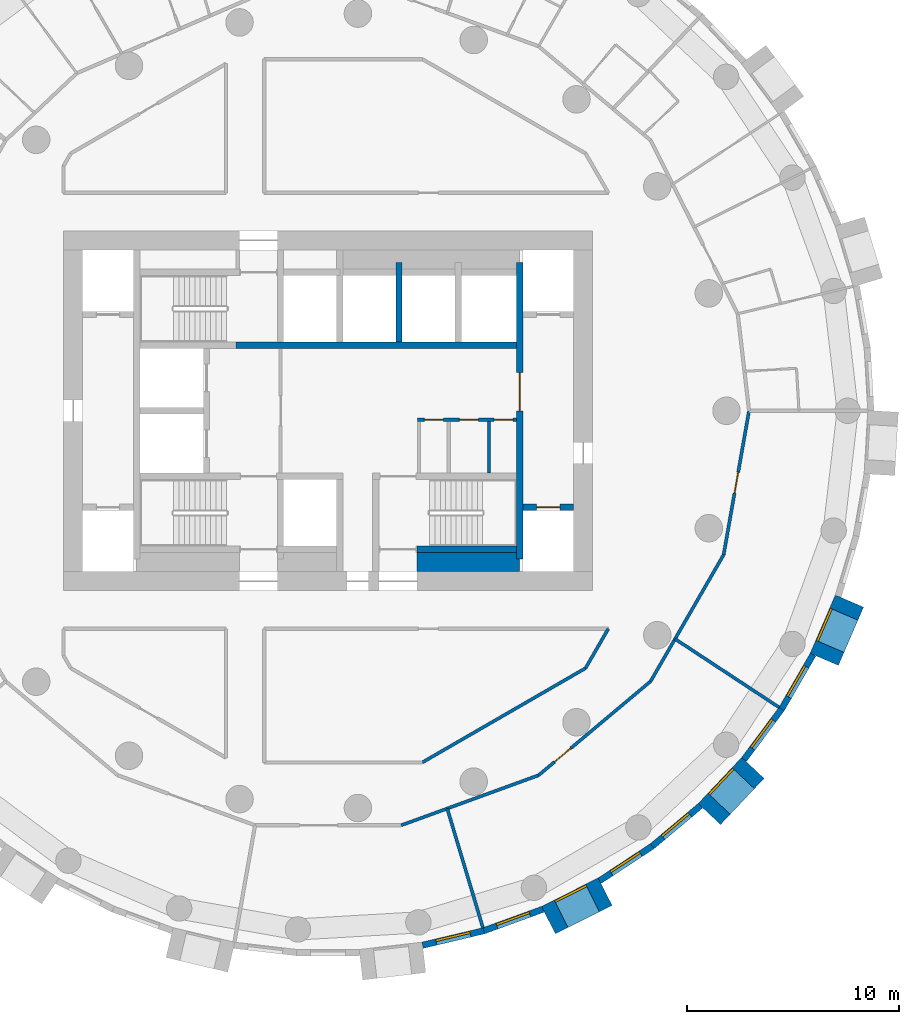
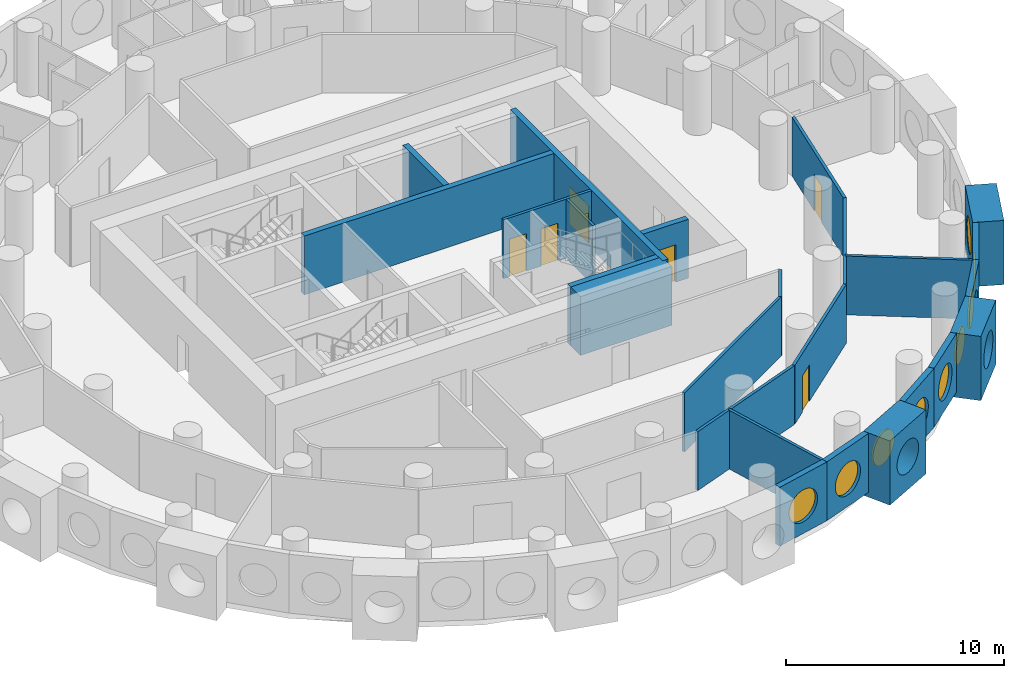
# One storey, part 4 of 10: 25 walls, 9 windows, 7 doors, 16 openings.
"""IFC4 building model written with IfcOpenShell, lengths in metres."""

from ifc_helpers import new_model, si_unit, direction, frame, frame_2d, origin, origin_2d, place, context, subcontext, project, spatial, rectangle, circle, extrude, material, layer, layer_set, type_object, element, fill, save


model = new_model("IFC4")

# Units and contexts
model_context = context("Model", 3, precision=1e-05, world=origin(), true_north=direction((0.0, 1.0)))
body_context = subcontext(model_context, "Body", "Model", "MODEL_VIEW")
ifc_project = project(units=[si_unit("LENGTHUNIT", "METRE"), si_unit("AREAUNIT", "SQUARE_METRE"), si_unit("VOLUMEUNIT", "CUBIC_METRE"), si_unit("PLANEANGLEUNIT", "RADIAN"), si_unit("MASSUNIT", "GRAM", prefix="KILO")], contexts=[model_context])

# Site, building, storey
site_placement = place(None, origin())
site = spatial("IfcSite", under=ifc_project, at=site_placement, CompositionType="ELEMENT")
building_placement = place(site_placement, origin())
building = spatial("IfcBuilding", under=site, at=building_placement, Name="Tracery Tower", CompositionType="ELEMENT")
storey_placement = place(building_placement, frame((0.0, 0.0, 129.60009765625)))
storey = spatial("IfcBuildingStorey", under=building, at=storey_placement, Name="L32", CompositionType="ELEMENT", Elevation=129.60009765625)

# Wall, openings, doors
ifc_material_1 = material(Name="Plasterboard on steel studs", Category="steel")
ifc_layer_1 = layer(ifc_material_1, 0.14990234375)
ifc_layer_set_1 = layer_set([ifc_layer_1], Name="Core room partition 150")
wall_type_1 = type_object("IfcWallType", Name="Core room partition 150", PredefinedType="SOLIDWALL", material=ifc_layer_set_1)
wall_1_placement = place(storey_placement, frame((4.22509765625, -0.425048828125, 0.0), z_axis=(0.0, 0.0, 1.0), x_axis=(1.0, 0.0, 0.0)))
wall_1 = element("IfcWall", 1, at=wall_1_placement, inside=storey, type_object=wall_type_1, Name="L32 slot N", PredefinedType="SOLIDWALL", context=body_context, shape_type="SweptSolid", body=[
    extrude(rectangle(XDim=4.6748046875, YDim=0.14990234375, at=frame_2d((2.33740234375, 0.0))), origin(), (0.0, 0.0, 1.0), 3.2998046875),
])
opening_1_placement = place(wall_1_placement, frame((0.324951171875, 0.0, 0.0)))
opening_1 = element("IfcOpeningElement", 2, at=opening_1_placement, cuts=wall_1, Name="Opening KD27", PredefinedType="OPENING", context=body_context, shape_type="SweptSolid", body=[
    extrude(rectangle(XDim=0.89990234375, YDim=2.10009765625, at=frame_2d((0.449951171875, 1.050048828125))), frame((0.0, 0.074951171875, 0.0), z_axis=(0.0, -1.0, 0.0), x_axis=(1.0, 0.0, 0.0)), (0.0, 0.0, 1.0), 0.14990234375),
])
opening_2_placement = place(wall_1_placement, frame((1.97509765625, 0.0, 0.0)))
opening_2 = element("IfcOpeningElement", 3, at=opening_2_placement, cuts=wall_1, Name="Opening KD21", PredefinedType="OPENING", context=body_context, shape_type="SweptSolid", body=[
    extrude(rectangle(XDim=0.89990234375, YDim=2.10009765625, at=frame_2d((0.449951171875, 1.050048828125))), frame((0.0, 0.074951171875, 0.0), z_axis=(0.0, -1.0, 0.0), x_axis=(1.0, 0.0, 0.0)), (0.0, 0.0, 1.0), 0.14990234375),
])
opening_3_placement = place(wall_1_placement, frame((3.612548828125, 0.0, 0.0)))
opening_3 = element("IfcOpeningElement", 4, at=opening_3_placement, cuts=wall_1, Name="Opening KD32", PredefinedType="OPENING", context=body_context, shape_type="SweptSolid", body=[
    extrude(rectangle(XDim=0.89990234375, YDim=2.10009765625, at=frame_2d((0.449951171875, 1.050048828125))), frame((0.0, 0.074951171875, 0.0), z_axis=(0.0, -1.0, 0.0), x_axis=(1.0, 0.0, 0.0)), (0.0, 0.0, 1.0), 0.14990234375),
])
ifc_material_2 = material(Name="Timber door leaf", Category="wood")
door_type_1 = type_object("IfcDoorType", Name="Core WC door 900", OperationType="NOTDEFINED", PredefinedType="DOOR", material=ifc_material_2)
door_1_placement = place(opening_2_placement, origin())
door_1 = element("IfcDoor", 5, at=door_1_placement, inside=storey, type_object=door_type_1, Name="Core door", OperationType="SINGLE_SWING_LEFT", OverallHeight=2.10009765625, OverallWidth=0.89990234375, PredefinedType="DOOR", context=body_context, shape_type="SweptSolid", body=[
    extrude(rectangle(XDim=0.89990234375, YDim=2.10009765625, at=frame_2d((0.449951171875, 1.050048828125))), frame((0.0, 0.02490234375, 0.0), z_axis=(0.0, -1.0, 0.0), x_axis=(1.0, 0.0, 0.0)), (0.0, 0.0, 1.0), 0.050048828125),
])
fill(opening_2, door_1)
ifc_material_3 = material(Name="Steel fire door", Category="steel")
door_type_2 = type_object("IfcDoorType", Name="Core riser door 900", OperationType="NOTDEFINED", PredefinedType="DOOR", material=ifc_material_3)
door_2_placement = place(opening_3_placement, origin())
door_2 = element("IfcDoor", 6, at=door_2_placement, inside=storey, type_object=door_type_2, Name="Core door", OperationType="SINGLE_SWING_RIGHT", OverallHeight=2.10009765625, OverallWidth=0.89990234375, PredefinedType="DOOR", context=body_context, shape_type="SweptSolid", body=[
    extrude(rectangle(XDim=0.89990234375, YDim=2.10009765625, at=frame_2d((0.449951171875, 1.050048828125))), frame((0.0, 0.02490234375, 0.0), z_axis=(0.0, -1.0, 0.0), x_axis=(1.0, 0.0, 0.0)), (0.0, 0.0, 1.0), 0.050048828125),
])
fill(opening_3, door_2)
ifc_material_4 = material(Name="Timber door leaf", Category="wood")
door_type_3 = type_object("IfcDoorType", Name="Core store door 900", OperationType="NOTDEFINED", PredefinedType="DOOR", material=ifc_material_4)
door_3_placement = place(opening_1_placement, origin())
door_3 = element("IfcDoor", 7, at=door_3_placement, inside=storey, type_object=door_type_3, Name="Core door", OperationType="SINGLE_SWING_RIGHT", OverallHeight=2.10009765625, OverallWidth=0.89990234375, PredefinedType="DOOR", context=body_context, shape_type="SweptSolid", body=[
    extrude(rectangle(XDim=0.89990234375, YDim=2.10009765625, at=frame_2d((0.449951171875, 1.050048828125))), frame((0.0, 0.02490234375, 0.0), z_axis=(0.0, -1.0, 0.0), x_axis=(1.0, 0.0, 0.0)), (0.0, 0.0, 1.0), 0.050048828125),
])
fill(opening_1, door_3)

# Walls
wall_2_placement = place(storey_placement, frame((7.60009765625, -2.949951171875, 0.0), z_axis=(0.0, 0.0, 1.0), x_axis=(0.0, 1.0, 0.0)))
element("IfcWall", 8, at=wall_2_placement, inside=storey, type_object=wall_type_1, Name="L32 slot sep 2", PredefinedType="SOLIDWALL", context=body_context, shape_type="SweptSolid", body=[
    extrude(rectangle(XDim=2.449951171875, YDim=0.14990234375, at=frame_2d((1.22509765625, 0.0))), origin(), (0.0, 0.0, 1.0), 3.2998046875),
])
ifc_material_5 = material(Name="Concrete C50/60", Category="concrete")
ifc_layer_2 = layer(ifc_material_5, 0.89990234375)
ifc_layer_set_2 = layer_set([ifc_layer_2], Name="Core strip wall 900 C50")
wall_type_2 = type_object("IfcWallType", Name="Core strip wall 900 C50", PredefinedType="SOLIDWALL", material=ifc_layer_set_2)
wall_3_placement = place(storey_placement, frame((4.199951171875, -7.14990234375, 0.0), z_axis=(0.0, 0.0, 1.0), x_axis=(1.0, 0.0, 0.0)))
element("IfcWall", 9, at=wall_3_placement, inside=storey, type_object=wall_type_2, Name="L32 F thick S E", PredefinedType="SOLIDWALL", context=body_context, shape_type="SweptSolid", body=[
    extrude(rectangle(XDim=4.85009765625, YDim=0.89990234375, at=frame_2d((2.425048828125, 0.0))), origin(), (0.0, 0.0, 1.0), 3.2998046875),
])

# Wall, opening, window
ifc_material_6 = material(Name="Precast concrete C50/60", Category="concrete")
ifc_layer_3 = layer(ifc_material_6, 1.449951171875)
ifc_layer_set_3 = layer_set([ifc_layer_3], Name="Deep-set bay unit 3000 x 3600, slab edge 300")
wall_type_3 = type_object("IfcWallType", Name="Deep-set bay unit 3000 x 3600, slab edge 300", PredefinedType="ELEMENTEDWALL", material=ifc_layer_set_3)
wall_4_placement = place(storey_placement, frame((10.40869140625, -24.067626953125, -0.300048828125), z_axis=(0.0, 0.0, 1.0), x_axis=(0.893628249713, 0.448807922518, 0.0)))
wall_4 = element("IfcWall", 10, at=wall_4_placement, inside=storey, type_object=wall_type_3, Name="Deep-set bay unit 45 at L32", PredefinedType="ELEMENTEDWALL", context=body_context, shape_type="SweptSolid", body=[
    extrude(rectangle(XDim=3.0, YDim=1.449951171875, at=frame_2d((1.5, 0.0))), origin(), (0.0, 0.0, 1.0), 3.599853515625),
])
opening_4_placement = place(wall_4_placement, frame((1.5, 0.0, 1.85009765625)))
opening_4 = element("IfcOpeningElement", 11, at=opening_4_placement, cuts=wall_4, Name="Opening WN1", PredefinedType="OPENING", context=body_context, shape_type="SweptSolid", body=[
    extrude(circle(Radius=0.9000244140625, at=origin_2d()), frame((0.0, 0.73486328125, 0.0), z_axis=(0.0, -1.0, 0.0), x_axis=(1.0, 0.0, 0.0)), (0.0, 0.0, 1.0), 1.469970703125),
])
ifc_material_7 = material(Name="Aluminium frame with tinted double glazing", Category="aluminium")
window_type = type_object("IfcWindowType", Name="Round window 1800", PartitioningType="SINGLE_PANEL", PredefinedType="WINDOW", material=ifc_material_7)
window_1_placement = place(opening_4_placement, origin())
window_1 = element("IfcWindow", 12, at=window_1_placement, inside=storey, type_object=window_type, Name="Round window 45 at L32", OverallHeight=1.800048828125, OverallWidth=1.800048828125, PartitioningType="SINGLE_PANEL", PredefinedType="WINDOW", context=body_context, shape_type="SweptSolid", body=[
    extrude(circle(Radius=0.9000244140625, at=origin_2d()), frame((0.0, 0.69482421875, 0.0), z_axis=(0.0, -1.0, 0.0), x_axis=(1.0, 0.0, 0.0)), (0.0, 0.0, 1.0), 0.10009765625),
])
fill(opening_4, window_1)

wall_5_placement = place(storey_placement, frame((18.0126953125, -19.05615234375, -0.300048828125), z_axis=(0.0, 0.0, 1.0), x_axis=(0.686217177108, 0.727396718334, 0.0)))
wall_5 = element("IfcWall", 13, at=wall_5_placement, inside=storey, type_object=wall_type_3, Name="Deep-set bay unit 48 at L32", PredefinedType="ELEMENTEDWALL", context=body_context, shape_type="SweptSolid", body=[
    extrude(rectangle(XDim=3.0, YDim=1.449951171875, at=frame_2d((1.5, 0.0))), origin(), (0.0, 0.0, 1.0), 3.599853515625),
])
opening_5_placement = place(wall_5_placement, frame((1.5, 0.0, 1.85009765625)))
opening_5 = element("IfcOpeningElement", 14, at=opening_5_placement, cuts=wall_5, Name="Opening WN1", PredefinedType="OPENING", context=body_context, shape_type="SweptSolid", body=[
    extrude(circle(Radius=0.9000244140625, at=origin_2d()), frame((0.0, 0.73486328125, 0.0), z_axis=(0.0, -1.0, 0.0), x_axis=(1.0, 0.0, 0.0)), (0.0, 0.0, 1.0), 1.469970703125),
])
window_2_placement = place(opening_5_placement, origin())
window_2 = element("IfcWindow", 15, at=window_2_placement, inside=storey, type_object=window_type, Name="Round window 48 at L32", OverallHeight=1.800048828125, OverallWidth=1.800048828125, PartitioningType="SINGLE_PANEL", PredefinedType="WINDOW", context=body_context, shape_type="SweptSolid", body=[
    extrude(circle(Radius=0.9000244140625, at=origin_2d()), frame((0.0, 0.69482421875, 0.0), z_axis=(0.0, -1.0, 0.0), x_axis=(1.0, 0.0, 0.0)), (0.0, 0.0, 1.0), 0.10009765625),
])
fill(opening_5, window_2)

wall_6_placement = place(storey_placement, frame((23.44384765625, -11.746337890625, -0.300048828125), z_axis=(0.0, 0.0, 1.0), x_axis=(0.396079003245, 0.918216435917, 0.0)))
wall_6 = element("IfcWall", 16, at=wall_6_placement, inside=storey, type_object=wall_type_3, Name="Deep-set bay unit 51 at L32", PredefinedType="ELEMENTEDWALL", context=body_context, shape_type="SweptSolid", body=[
    extrude(rectangle(XDim=3.0, YDim=1.449951171875, at=frame_2d((1.5, 0.0))), origin(), (0.0, 0.0, 1.0), 3.599853515625),
])
opening_6_placement = place(wall_6_placement, frame((1.5, 0.0, 1.85009765625)))
opening_6 = element("IfcOpeningElement", 17, at=opening_6_placement, cuts=wall_6, Name="Opening WN1", PredefinedType="OPENING", context=body_context, shape_type="SweptSolid", body=[
    extrude(circle(Radius=0.9000244140625, at=origin_2d()), frame((0.0, 0.73486328125, 0.0), z_axis=(0.0, -1.0, 0.0), x_axis=(1.0, 0.0, 0.0)), (0.0, 0.0, 1.0), 1.469970703125),
])
window_3_placement = place(opening_6_placement, origin())
window_3 = element("IfcWindow", 18, at=window_3_placement, inside=storey, type_object=window_type, Name="Round window 51 at L32", OverallHeight=1.800048828125, OverallWidth=1.800048828125, PartitioningType="SINGLE_PANEL", PredefinedType="WINDOW", context=body_context, shape_type="SweptSolid", body=[
    extrude(circle(Radius=0.9000244140625, at=origin_2d()), frame((0.0, 0.69482421875, 0.0), z_axis=(0.0, -1.0, 0.0), x_axis=(1.0, 0.0, 0.0)), (0.0, 0.0, 1.0), 0.10009765625),
])
fill(opening_6, window_3)

ifc_material_8 = material(Name="Precast concrete C50/60", Category="concrete")
ifc_layer_4 = layer(ifc_material_8, 0.300048828125)
ifc_layer_set_4 = layer_set([ifc_layer_4], Name="Facade panel 3000 x 3300")
wall_type_4 = type_object("IfcWallType", Name="Facade panel 3000 x 3300", PredefinedType="SOLIDWALL", material=ifc_layer_set_4)
wall_7_placement = place(storey_placement, frame((4.463134765625, -25.255615234375, 0.0), z_axis=(0.0, 0.0, 1.0), x_axis=(0.973045378923, 0.230613725862, 0.0)))
wall_7 = element("IfcWall", 19, at=wall_7_placement, inside=storey, type_object=wall_type_4, Name="Facade panel 43 at L32", PredefinedType="SOLIDWALL", context=body_context, shape_type="SweptSolid", body=[
    extrude(rectangle(XDim=2.97265625, YDim=0.300048828125, at=frame_2d((1.486328125, 0.0))), origin(), (0.0, 0.0, 1.0), 3.2998046875),
])
opening_7_placement = place(wall_7_placement, frame((1.486328125, 0.0, 1.5498046875)))
opening_7 = element("IfcOpeningElement", 20, at=opening_7_placement, cuts=wall_7, Name="Opening WN1", PredefinedType="OPENING", context=body_context, shape_type="SweptSolid", body=[
    extrude(circle(Radius=0.9000244140625, at=origin_2d()), frame((0.0, 0.159912109375, 0.0), z_axis=(0.0, -1.0, 0.0), x_axis=(1.0, 0.0, 0.0)), (0.0, 0.0, 1.0), 0.320068359375),
])
window_4_placement = place(opening_7_placement, origin())
window_4 = element("IfcWindow", 21, at=window_4_placement, inside=storey, type_object=window_type, Name="Round window 43 at L32", OverallHeight=1.800048828125, OverallWidth=1.800048828125, PartitioningType="SINGLE_PANEL", PredefinedType="WINDOW", context=body_context, shape_type="SweptSolid", body=[
    extrude(circle(Radius=0.9000244140625, at=origin_2d()), frame((0.0, 0.1201171875, 0.0), z_axis=(0.0, -1.0, 0.0), x_axis=(1.0, 0.0, 0.0)), (0.0, 0.0, 1.0), 0.10009765625),
])
fill(opening_7, window_4)

wall_8_placement = place(storey_placement, frame((7.355712890625, -24.570068359375, 0.0), z_axis=(0.0, 0.0, 1.0), x_axis=(0.939690282133, 0.342026568652, 0.0)))
wall_8 = element("IfcWall", 22, at=wall_8_placement, inside=storey, type_object=wall_type_4, Name="Facade panel 44 at L32", PredefinedType="SOLIDWALL", context=body_context, shape_type="SweptSolid", body=[
    extrude(rectangle(XDim=2.972900390625, YDim=0.300048828125, at=frame_2d((1.486328125, 0.0))), origin(), (0.0, 0.0, 1.0), 3.2998046875),
])
opening_8_placement = place(wall_8_placement, frame((1.486328125, 0.0, 1.5498046875)))
opening_8 = element("IfcOpeningElement", 23, at=opening_8_placement, cuts=wall_8, Name="Opening WN1", PredefinedType="OPENING", context=body_context, shape_type="SweptSolid", body=[
    extrude(circle(Radius=0.9000244140625, at=origin_2d()), frame((0.0, 0.159912109375, 0.0), z_axis=(0.0, -1.0, 0.0), x_axis=(1.0, 0.0, 0.0)), (0.0, 0.0, 1.0), 0.320068359375),
])
window_5_placement = place(opening_8_placement, origin())
window_5 = element("IfcWindow", 24, at=window_5_placement, inside=storey, type_object=window_type, Name="Round window 44 at L32", OverallHeight=1.800048828125, OverallWidth=1.800048828125, PartitioningType="SINGLE_PANEL", PredefinedType="WINDOW", context=body_context, shape_type="SweptSolid", body=[
    extrude(circle(Radius=0.9000244140625, at=origin_2d()), frame((0.0, 0.1201171875, 0.0), z_axis=(0.0, -1.0, 0.0), x_axis=(1.0, 0.0, 0.0)), (0.0, 0.0, 1.0), 0.10009765625),
])
fill(opening_8, window_5)

wall_9_placement = place(storey_placement, frame((12.831787109375, -22.2060546875, 0.0), z_axis=(0.0, 0.0, 1.0), x_axis=(0.835508361394, 0.54947773207, 0.0)))
wall_9 = element("IfcWall", 25, at=wall_9_placement, inside=storey, type_object=wall_type_4, Name="Facade panel 46 at L32", PredefinedType="SOLIDWALL", context=body_context, shape_type="SweptSolid", body=[
    extrude(rectangle(XDim=2.972900390625, YDim=0.300048828125, at=frame_2d((1.486328125, 0.0))), origin(), (0.0, 0.0, 1.0), 3.2998046875),
])
opening_9_placement = place(wall_9_placement, frame((1.486328125, 0.0, 1.5498046875)))
opening_9 = element("IfcOpeningElement", 26, at=opening_9_placement, cuts=wall_9, Name="Opening WN1", PredefinedType="OPENING", context=body_context, shape_type="SweptSolid", body=[
    extrude(circle(Radius=0.9000244140625, at=origin_2d()), frame((0.0, 0.159912109375, 0.0), z_axis=(0.0, -1.0, 0.0), x_axis=(1.0, 0.0, 0.0)), (0.0, 0.0, 1.0), 0.320068359375),
])
window_6_placement = place(opening_9_placement, origin())
window_6 = element("IfcWindow", 27, at=window_6_placement, inside=storey, type_object=window_type, Name="Round window 46 at L32", OverallHeight=1.800048828125, OverallWidth=1.800048828125, PartitioningType="SINGLE_PANEL", PredefinedType="WINDOW", context=body_context, shape_type="SweptSolid", body=[
    extrude(circle(Radius=0.9000244140625, at=origin_2d()), frame((0.0, 0.1201171875, 0.0), z_axis=(0.0, -1.0, 0.0), x_axis=(1.0, 0.0, 0.0)), (0.0, 0.0, 1.0), 0.10009765625),
])
fill(opening_9, window_6)

wall_10_placement = place(storey_placement, frame((15.315673828125, -20.572509765625, 0.0), z_axis=(0.0, 0.0, 1.0), x_axis=(0.766008913364, 0.642829950023, 0.0)))
wall_10 = element("IfcWall", 28, at=wall_10_placement, inside=storey, type_object=wall_type_4, Name="Facade panel 47 at L32", PredefinedType="SOLIDWALL", context=body_context, shape_type="SweptSolid", body=[
    extrude(rectangle(XDim=2.972900390625, YDim=0.300048828125, at=frame_2d((1.486328125, 0.0))), origin(), (0.0, 0.0, 1.0), 3.2998046875),
])
opening_10_placement = place(wall_10_placement, frame((1.486328125, 0.0, 1.5498046875)))
opening_10 = element("IfcOpeningElement", 29, at=opening_10_placement, cuts=wall_10, Name="Opening WN1", PredefinedType="OPENING", context=body_context, shape_type="SweptSolid", body=[
    extrude(circle(Radius=0.9000244140625, at=origin_2d()), frame((0.0, 0.159912109375, 0.0), z_axis=(0.0, -1.0, 0.0), x_axis=(1.0, 0.0, 0.0)), (0.0, 0.0, 1.0), 0.320068359375),
])
window_7_placement = place(opening_10_placement, origin())
window_7 = element("IfcWindow", 30, at=window_7_placement, inside=storey, type_object=window_type, Name="Round window 47 at L32", OverallHeight=1.800048828125, OverallWidth=1.800048828125, PartitioningType="SINGLE_PANEL", PredefinedType="WINDOW", context=body_context, shape_type="SweptSolid", body=[
    extrude(circle(Radius=0.9000244140625, at=origin_2d()), frame((0.0, 0.1201171875, 0.0), z_axis=(0.0, -1.0, 0.0), x_axis=(1.0, 0.0, 0.0)), (0.0, 0.0, 1.0), 0.10009765625),
])
fill(opening_10, window_7)

wall_11_placement = place(storey_placement, frame((19.65283203125, -16.47802734375, 0.0), z_axis=(0.0, 0.0, 1.0), x_axis=(0.597197580538, 0.80209416517, 0.0)))
wall_11 = element("IfcWall", 31, at=wall_11_placement, inside=storey, type_object=wall_type_4, Name="Facade panel 49 at L32", PredefinedType="SOLIDWALL", context=body_context, shape_type="SweptSolid", body=[
    extrude(rectangle(XDim=2.972900390625, YDim=0.300048828125, at=frame_2d((1.486328125, 0.0))), origin(), (0.0, 0.0, 1.0), 3.2998046875),
])
opening_11_placement = place(wall_11_placement, frame((1.486328125, 0.0, 1.5498046875)))
opening_11 = element("IfcOpeningElement", 32, at=opening_11_placement, cuts=wall_11, Name="Opening WN1", PredefinedType="OPENING", context=body_context, shape_type="SweptSolid", body=[
    extrude(circle(Radius=0.9000244140625, at=origin_2d()), frame((0.0, 0.159912109375, 0.0), z_axis=(0.0, -1.0, 0.0), x_axis=(1.0, 0.0, 0.0)), (0.0, 0.0, 1.0), 0.320068359375),
])
window_8_placement = place(opening_11_placement, origin())
window_8 = element("IfcWindow", 33, at=window_8_placement, inside=storey, type_object=window_type, Name="Round window 49 at L32", OverallHeight=1.800048828125, OverallWidth=1.800048828125, PartitioningType="SINGLE_PANEL", PredefinedType="WINDOW", context=body_context, shape_type="SweptSolid", body=[
    extrude(circle(Radius=0.9000244140625, at=origin_2d()), frame((0.0, 0.1201171875, 0.0), z_axis=(0.0, -1.0, 0.0), x_axis=(1.0, 0.0, 0.0)), (0.0, 0.0, 1.0), 0.10009765625),
])
fill(opening_11, window_8)

wall_12_placement = place(storey_placement, frame((21.42822265625, -14.093505859375, 0.0), z_axis=(0.0, 0.0, 1.0), x_axis=(0.499954672104, 0.866051572276, 0.0)))
wall_12 = element("IfcWall", 34, at=wall_12_placement, inside=storey, type_object=wall_type_4, Name="Facade panel 50 at L32", PredefinedType="SOLIDWALL", context=body_context, shape_type="SweptSolid", body=[
    extrude(rectangle(XDim=2.972900390625, YDim=0.300048828125, at=frame_2d((1.486328125, 0.0))), origin(), (0.0, 0.0, 1.0), 3.2998046875),
])
opening_12_placement = place(wall_12_placement, frame((1.486328125, 0.0, 1.5498046875)))
opening_12 = element("IfcOpeningElement", 35, at=opening_12_placement, cuts=wall_12, Name="Opening WN1", PredefinedType="OPENING", context=body_context, shape_type="SweptSolid", body=[
    extrude(circle(Radius=0.9000244140625, at=origin_2d()), frame((0.0, 0.159912109375, 0.0), z_axis=(0.0, -1.0, 0.0), x_axis=(1.0, 0.0, 0.0)), (0.0, 0.0, 1.0), 0.320068359375),
])
window_9_placement = place(opening_12_placement, origin())
window_9 = element("IfcWindow", 36, at=window_9_placement, inside=storey, type_object=window_type, Name="Round window 50 at L32", OverallHeight=1.800048828125, OverallWidth=1.800048828125, PartitioningType="SINGLE_PANEL", PredefinedType="WINDOW", context=body_context, shape_type="SweptSolid", body=[
    extrude(circle(Radius=0.9000244140625, at=origin_2d()), frame((0.0, 0.1201171875, 0.0), z_axis=(0.0, -1.0, 0.0), x_axis=(1.0, 0.0, 0.0)), (0.0, 0.0, 1.0), 0.10009765625),
])
fill(opening_12, window_9)

# Walls
ifc_material_9 = material(Name="Plasterboard on steel studs", Category="steel")
ifc_layer_5 = layer(ifc_material_9, 0.14990234375)
ifc_layer_set_5 = layer_set([ifc_layer_5], Name="Partition 150 acoustic unit wall")
wall_type_5 = type_object("IfcWallType", Name="Partition 150 acoustic unit wall", PredefinedType="PARTITIONING", material=ifc_layer_set_5)
wall_13_placement = place(storey_placement, frame((5.626953125, -18.794921875, 0.0), z_axis=(0.0, 0.0, 1.0), x_axis=(0.286833432865, -0.957980470464, 0.0)))
element("IfcWall", 37, at=wall_13_placement, inside=storey, type_object=wall_type_5, Name="Unit wall RB1-079", PredefinedType="PARTITIONING", context=body_context, shape_type="SweptSolid", body=[
    extrude(rectangle(XDim=5.878173828125, YDim=0.14990234375, at=frame_2d((2.93896484375, 0.0))), origin(), (0.0, 0.0, 1.0), 3.2998046875),
])
wall_14_placement = place(storey_placement, frame((16.39111328125, -10.781005859375, 0.0), z_axis=(0.0, 0.0, 1.0), x_axis=(0.835534987945, -0.54943724293, 0.0)))
element("IfcWall", 38, at=wall_14_placement, inside=storey, type_object=wall_type_5, Name="Unit wall RB1-080", PredefinedType="PARTITIONING", context=body_context, shape_type="SweptSolid", body=[
    extrude(rectangle(XDim=5.878662109375, YDim=0.14990234375, at=frame_2d((2.939453125, 0.0))), origin(), (0.0, 0.0, 1.0), 3.2998046875),
])
ifc_material_10 = material(Name="Plasterboard on steel studs", Category="steel")
ifc_layer_6 = layer(ifc_material_10, 0.14990234375)
ifc_layer_set_6 = layer_set([ifc_layer_6], Name="Partition 150 corridor wall")
wall_type_6 = type_object("IfcWallType", Name="Partition 150 corridor wall", PredefinedType="PARTITIONING", material=ifc_layer_set_6)
wall_15_placement = place(storey_placement, frame((12.162109375, -12.162109375, 0.0), z_axis=(0.0, 0.0, 1.0), x_axis=(0.499961633463, 0.866047553582, 0.0)))
element("IfcWall", 39, at=wall_15_placement, inside=storey, type_object=wall_type_6, Name="Corridor wall RB1-006", PredefinedType="PARTITIONING", context=body_context, shape_type="SweptSolid", body=[
    extrude(rectangle(XDim=2.150146484375, YDim=0.14990234375, at=frame_2d((1.0751953125, 0.0))), origin(), (0.0, 0.0, 1.0), 3.2998046875),
])
wall_16_placement = place(storey_placement, frame((15.235107421875, -12.783935546875, 0.0), z_axis=(0.0, 0.0, 1.0), x_axis=(0.499940714931, 0.86605962933, 0.0)))
element("IfcWall", 40, at=wall_16_placement, inside=storey, type_object=wall_type_6, Name="Corridor wall RB1-010", PredefinedType="PARTITIONING", context=body_context, shape_type="SweptSolid", body=[
    extrude(rectangle(XDim=6.906982421875, YDim=0.14990234375, at=frame_2d((3.45361328125, 0.0))), origin(), (0.0, 0.0, 1.0), 3.2998046875),
])

# Wall, opening, door
wall_17_placement = place(storey_placement, frame((9.943359375, -17.22216796875, 0.0), z_axis=(0.0, 0.0, 1.0), x_axis=(0.766192104565, 0.642611592567, 0.0)))
wall_17 = element("IfcWall", 41, at=wall_17_placement, inside=storey, type_object=wall_type_6, Name="Corridor wall RB1-011", PredefinedType="PARTITIONING", context=body_context, shape_type="SweptSolid", body=[
    extrude(rectangle(XDim=6.906494140625, YDim=0.14990234375, at=frame_2d((3.453125, 0.0))), origin(), (0.0, 0.0, 1.0), 3.2998046875),
])
opening_13_placement = place(wall_17_placement, frame((0.983642578125, 0.0, 0.0)))
opening_13 = element("IfcOpeningElement", 42, at=opening_13_placement, cuts=wall_17, Name="Opening RB1-30", PredefinedType="OPENING", context=body_context, shape_type="SweptSolid", body=[
    extrude(rectangle(XDim=1.0, YDim=2.0400390625, at=frame_2d((0.5, 1.02001953125))), frame((0.0, 0.074951171875, 0.0), z_axis=(0.0, -1.0, 0.0), x_axis=(1.0, 0.0, 0.0)), (0.0, 0.0, 1.0), 0.14990234375),
])
ifc_material_11 = material(Name="Timber door leaf", Category="wood")
door_type_4 = type_object("IfcDoorType", Name="Door communal room 1000", OperationType="NOTDEFINED", PredefinedType="DOOR", material=ifc_material_11)
door_4_placement = place(opening_13_placement, origin())
door_4 = element("IfcDoor", 43, at=door_4_placement, inside=storey, type_object=door_type_4, Name="Communal room door RB1-30", OperationType="SINGLE_SWING_RIGHT", OverallHeight=2.0400390625, OverallWidth=1.0, PredefinedType="DOOR", context=body_context, shape_type="SweptSolid", body=[
    extrude(rectangle(XDim=1.0, YDim=2.0400390625, at=frame_2d((0.5, 1.02001953125))), frame((0.0, 0.02490234375, 0.0), z_axis=(0.0, -1.0, 0.0), x_axis=(1.0, 0.0, 0.0)), (0.0, 0.0, 1.0), 0.050048828125),
])
fill(opening_13, door_4)

wall_18_placement = place(storey_placement, frame((18.68798828125, -6.802001953125, 0.0), z_axis=(0.0, 0.0, 1.0), x_axis=(0.173728873845, 0.98479352069, 0.0)))
wall_18 = element("IfcWall", 44, at=wall_18_placement, inside=storey, type_object=wall_type_6, Name="Corridor wall RB1-012", PredefinedType="PARTITIONING", context=body_context, shape_type="SweptSolid", body=[
    extrude(rectangle(XDim=6.906982421875, YDim=0.14990234375, at=frame_2d((3.45361328125, 0.0))), origin(), (0.0, 0.0, 1.0), 3.2998046875),
])
opening_14_placement = place(wall_18_placement, frame((2.952880859375, 0.0, 0.0)))
opening_14 = element("IfcOpeningElement", 45, at=opening_14_placement, cuts=wall_18, Name="Opening RB1-31", PredefinedType="OPENING", context=body_context, shape_type="SweptSolid", body=[
    extrude(rectangle(XDim=1.0, YDim=2.0400390625, at=frame_2d((0.5, 1.02001953125))), frame((0.0, 0.074951171875, 0.0), z_axis=(0.0, -1.0, 0.0), x_axis=(1.0, 0.0, 0.0)), (0.0, 0.0, 1.0), 0.14990234375),
])
door_5_placement = place(opening_14_placement, origin())
door_5 = element("IfcDoor", 46, at=door_5_placement, inside=storey, type_object=door_type_4, Name="Communal room door RB1-31", OperationType="SINGLE_SWING_RIGHT", OverallHeight=2.0400390625, OverallWidth=1.0, PredefinedType="DOOR", context=body_context, shape_type="SweptSolid", body=[
    extrude(rectangle(XDim=1.0, YDim=2.0400390625, at=frame_2d((0.5, 1.02001953125))), frame((0.0, 0.02490234375, 0.0), z_axis=(0.0, -1.0, 0.0), x_axis=(1.0, 0.0, 0.0)), (0.0, 0.0, 1.0), 0.050048828125),
])
fill(opening_14, door_5)

# Walls
wall_19_placement = place(storey_placement, frame((4.451904296875, -16.614013671875, 0.0), z_axis=(0.0, 0.0, 1.0), x_axis=(0.866005203721, 0.500034985904, 0.0)))
element("IfcWall", 47, at=wall_19_placement, inside=storey, type_object=wall_type_6, Name="Corridor wall RB1-036", PredefinedType="PARTITIONING", context=body_context, shape_type="SweptSolid", body=[
    extrude(rectangle(XDim=8.903076171875, YDim=0.14990234375, at=frame_2d((4.45166015625, 0.0))), origin(), (0.0, 0.0, 1.0), 3.2998046875),
])
wall_20_placement = place(storey_placement, frame((3.452880859375, -19.5859375, 0.0), z_axis=(0.0, 0.0, 1.0), x_axis=(0.939607544688, 0.342253797591, 0.0)))
element("IfcWall", 48, at=wall_20_placement, inside=storey, type_object=wall_type_6, Name="Corridor wall RB1-038", PredefinedType="PARTITIONING", context=body_context, shape_type="SweptSolid", body=[
    extrude(rectangle(XDim=6.907958984375, YDim=0.14990234375, at=frame_2d((3.4541015625, 0.0))), origin(), (0.0, 0.0, 1.0), 3.2998046875),
])
ifc_material_12 = material(Name="Concrete C50/60", Category="concrete")
ifc_layer_7 = layer(ifc_material_12, 0.300048828125)
ifc_layer_set_7 = layer_set([ifc_layer_7], Name="Shaft wall 300 C50")
wall_type_7 = type_object("IfcWallType", Name="Shaft wall 300 C50", PredefinedType="SOLIDWALL", material=ifc_layer_set_7)
wall_21_placement = place(storey_placement, frame((3.35009765625, 3.25, 0.0), z_axis=(0.0, 0.0, 1.0), x_axis=(0.0, 1.0, 0.0)))
element("IfcWall", 49, at=wall_21_placement, inside=storey, type_object=wall_type_7, Name="L32 HR sep 2", PredefinedType="SOLIDWALL", context=body_context, shape_type="SweptSolid", body=[
    extrude(rectangle(XDim=3.75, YDim=0.300048828125, at=frame_2d((1.875, 0.0))), origin(), (0.0, 0.0, 1.0), 3.2998046875),
])

# Wall, opening, door
wall_22_placement = place(storey_placement, frame((9.199951171875, -4.550048828125, 0.0), z_axis=(0.0, 0.0, 1.0), x_axis=(1.0, 0.0, 0.0)))
wall_22 = element("IfcWall", 50, at=wall_22_placement, inside=storey, type_object=wall_type_7, Name="L32 MR E -4.55", PredefinedType="SOLIDWALL", context=body_context, shape_type="SweptSolid", body=[
    extrude(rectangle(XDim=2.400146484375, YDim=0.300048828125, at=frame_2d((1.2001953125, 0.0))), origin(), (0.0, 0.0, 1.0), 3.2998046875),
])
opening_15_placement = place(wall_22_placement, frame((0.64990234375, 0.0, 0.0)))
opening_15 = element("IfcOpeningElement", 51, at=opening_15_placement, cuts=wall_22, Name="Opening KD50", PredefinedType="OPENING", context=body_context, shape_type="SweptSolid", body=[
    extrude(rectangle(XDim=1.10009765625, YDim=2.10009765625, at=frame_2d((0.550048828125, 1.050048828125))), frame((0.0, 0.14990234375, 0.0), z_axis=(0.0, -1.0, 0.0), x_axis=(1.0, 0.0, 0.0)), (0.0, 0.0, 1.0), 0.300048828125),
])
ifc_material_13 = material(Name="Steel fire door", Category="steel")
door_type_5 = type_object("IfcDoorType", Name="Landing door 1100", OperationType="NOTDEFINED", PredefinedType="DOOR", material=ifc_material_13)
door_6_placement = place(opening_15_placement, origin())
door_6 = element("IfcDoor", 52, at=door_6_placement, inside=storey, type_object=door_type_5, Name="Landing door MR3", OperationType="SLIDING_TO_RIGHT", OverallHeight=2.10009765625, OverallWidth=1.10009765625, PredefinedType="DOOR", context=body_context, shape_type="SweptSolid", body=[
    extrude(rectangle(XDim=1.10009765625, YDim=2.10009765625, at=frame_2d((0.550048828125, 1.050048828125))), frame((0.0, 0.02490234375, 0.0), z_axis=(0.0, -1.0, 0.0), x_axis=(1.0, 0.0, 0.0)), (0.0, 0.0, 1.0), 0.050048828125),
])
fill(opening_15, door_6)

# Wall
ifc_material_14 = material(Name="Concrete C50/60", Category="concrete")
ifc_layer_8 = layer(ifc_material_14, 0.300048828125)
ifc_layer_set_8 = layer_set([ifc_layer_8], Name="Stair wall 300 C50")
wall_type_8 = type_object("IfcWallType", Name="Stair wall 300 C50", PredefinedType="SOLIDWALL", material=ifc_layer_set_8)
wall_23_placement = place(storey_placement, frame((-4.35009765625, 3.10009765625, 0.0), z_axis=(0.0, 0.0, 1.0), x_axis=(1.0, 0.0, 0.0)))
element("IfcWall", 53, at=wall_23_placement, inside=storey, type_object=wall_type_8, Name="L32 row N", PredefinedType="SOLIDWALL", context=body_context, shape_type="SweptSolid", body=[
    extrude(rectangle(XDim=13.25, YDim=0.300048828125, at=frame_2d((6.625, 0.0))), origin(), (0.0, 0.0, 1.0), 3.2998046875),
])

# Wall, opening, door
wall_24_placement = place(storey_placement, frame((9.050048828125, -7.0, 0.0), z_axis=(0.0, 0.0, 1.0), x_axis=(0.0, 1.0, 0.0)))
wall_24 = element("IfcWall", 54, at=wall_24_placement, inside=storey, type_object=wall_type_8, Name="L32 F wall +9", PredefinedType="SOLIDWALL", context=body_context, shape_type="SweptSolid", body=[
    extrude(rectangle(XDim=14.0, YDim=0.300048828125, at=frame_2d((7.0, 0.0))), origin(), (0.0, 0.0, 1.0), 3.2998046875),
])
opening_16_placement = place(wall_24_placement, frame((7.0, 0.0, 0.0)))
opening_16 = element("IfcOpeningElement", 55, at=opening_16_placement, cuts=wall_24, Name="Opening KD13", PredefinedType="OPENING", context=body_context, shape_type="SweptSolid", body=[
    extrude(rectangle(XDim=1.800048828125, YDim=2.10009765625, at=frame_2d((0.89990234375, 1.050048828125))), frame((0.0, 0.14990234375, 0.0), z_axis=(0.0, -1.0, 0.0), x_axis=(1.0, 0.0, 0.0)), (0.0, 0.0, 1.0), 0.300048828125),
])
ifc_material_15 = material(Name="Steel fire door", Category="steel")
door_type_6 = type_object("IfcDoorType", Name="Core exit door 1800 double", OperationType="NOTDEFINED", PredefinedType="DOOR", material=ifc_material_15)
door_7_placement = place(opening_16_placement, origin())
door_7 = element("IfcDoor", 56, at=door_7_placement, inside=storey, type_object=door_type_6, Name="Core exit door", OperationType="DOUBLE_DOOR_SINGLE_SWING", OverallHeight=2.10009765625, OverallWidth=1.800048828125, PredefinedType="DOOR", context=body_context, shape_type="SweptSolid", body=[
    extrude(rectangle(XDim=1.800048828125, YDim=2.10009765625, at=frame_2d((0.89990234375, 1.050048828125))), frame((0.0, 0.02490234375, 0.0), z_axis=(0.0, -1.0, 0.0), x_axis=(1.0, 0.0, 0.0)), (0.0, 0.0, 1.0), 0.050048828125),
])
fill(opening_16, door_7)

# Wall
wall_25_placement = place(storey_placement, frame((4.199951171875, -6.550048828125, 0.0), z_axis=(0.0, 0.0, 1.0), x_axis=(1.0, 0.0, 0.0)))
element("IfcWall", 57, at=wall_25_placement, inside=storey, type_object=wall_type_8, Name="L32 F stair strip S E", PredefinedType="SOLIDWALL", context=body_context, shape_type="SweptSolid", body=[
    extrude(rectangle(XDim=4.699951171875, YDim=0.300048828125, at=frame_2d((2.35009765625, 0.0))), origin(), (0.0, 0.0, 1.0), 3.2998046875),
])

save(model, "model.ifc")
